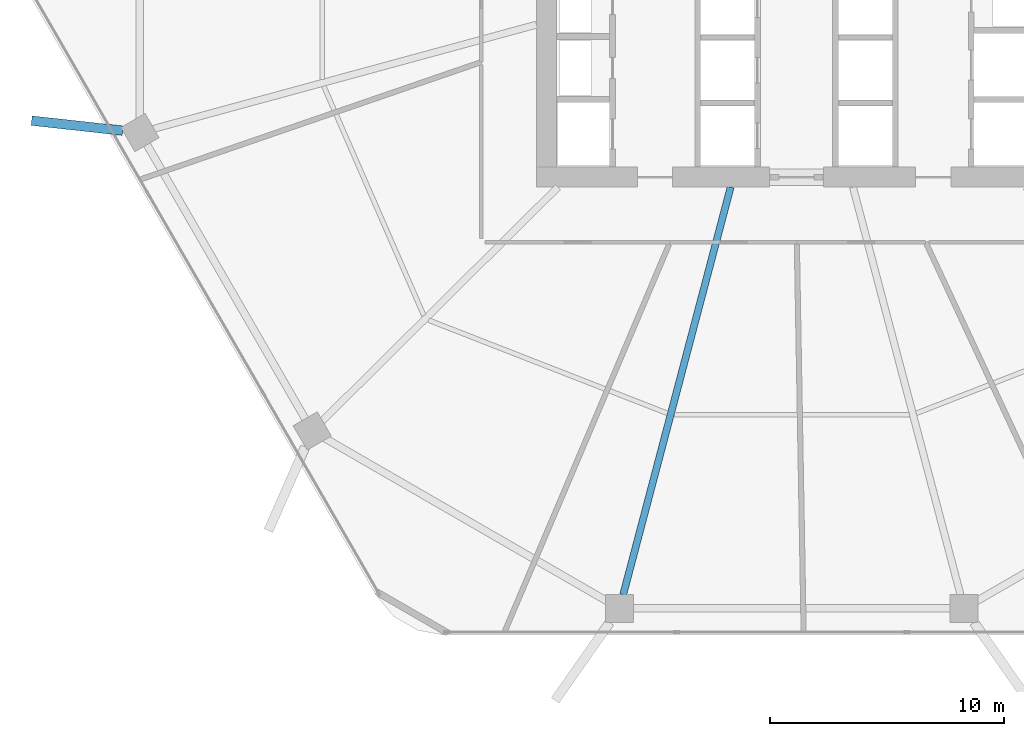
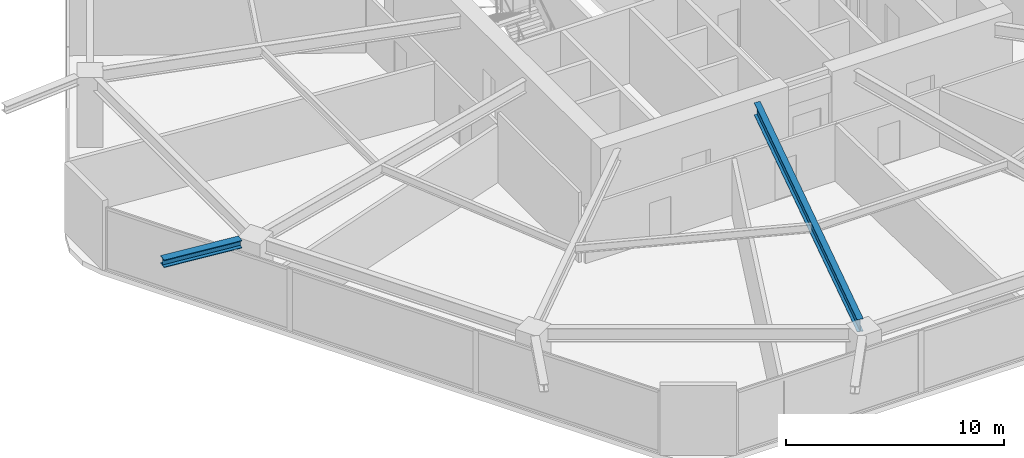
# One storey, part 4 of 25: 2 beams.
"""IFC4 building model written with IfcOpenShell, lengths in metres."""

from ifc_helpers import new_model, si_unit, direction, frame, origin, origin_2d, place, context, subcontext, project, spatial, i_section, extrude, material, material_profile, profile_set, type_object, element, save


model = new_model("IFC4")

# Units and contexts
model_context = context("Model", 3, precision=1e-05, world=origin(), true_north=direction((0.0, 1.0)))
body_context = subcontext(model_context, "Body", "Model", "MODEL_VIEW")
ifc_project = project(units=[si_unit("LENGTHUNIT", "METRE"), si_unit("AREAUNIT", "SQUARE_METRE"), si_unit("VOLUMEUNIT", "CUBIC_METRE"), si_unit("PLANEANGLEUNIT", "RADIAN"), si_unit("MASSUNIT", "GRAM", prefix="KILO")], contexts=[model_context])

# Site, building, storey
site_placement = place(None, origin())
site = spatial("IfcSite", under=ifc_project, at=site_placement, CompositionType="ELEMENT")
building_placement = place(site_placement, origin())
building = spatial("IfcBuilding", under=site, at=building_placement, Name="Zuhravey Tower", CompositionType="ELEMENT")
storey_placement = place(building_placement, frame((0.0, 0.0, 54.0)))
storey = spatial("IfcBuildingStorey", under=building, at=storey_placement, Name="L13", CompositionType="ELEMENT", Elevation=54.0)

# Beams
ifc_material_1 = material(Name="Steel SM460", Category="steel")
ifc_material_profile_1 = material_profile(ifc_material_1, i_section(OverallWidth=0.406982421875, OverallDepth=0.427978515625, WebThickness=0.02001953125, FlangeThickness=0.034912109375, at=origin_2d()), Name="H-428x407x20x35")
ifc_profile_set_1 = profile_set([ifc_material_profile_1], Name="Steel SM460")
beam_type_1 = type_object("IfcBeamType", Name="Exoskeleton Node Tie Beam H428x407", PredefinedType="BEAM", material=ifc_profile_set_1)
beam_1_placement = place(storey_placement, frame((7.3671875, 24.490234375, 3.7060546875), z_axis=(-0.994007881498, 0.109308423825, 0.0), x_axis=(-0.109308423825, -0.994007881498, 0.0)))
element("IfcBeam", 1, at=beam_1_placement, inside=storey, type_object=beam_type_1, Name="L13 Exoskeleton Node Tie NT1-07", PredefinedType="BEAM", context=body_context, shape_type="SweptSolid", body=[
    extrude(i_section(OverallWidth=0.406982421875, OverallDepth=0.427978515625, WebThickness=0.02001953125, FlangeThickness=0.034912109375, at=origin_2d()), origin(), (0.0, 0.0, 1.0), 3.9130859375),
])
ifc_material_2 = material(Name="Steel SM355", Category="steel")
ifc_material_profile_2 = material_profile(ifc_material_2, i_section(OverallWidth=0.300048828125, OverallDepth=0.699951171875, WebThickness=0.012939453125, FlangeThickness=0.02392578125, at=origin_2d()), Name="H-700x300x13x24")
ifc_profile_set_2 = profile_set([ifc_material_profile_2], Name="Steel SM355")
beam_type_2 = type_object("IfcBeamType", Name="Radial Primary Girder H700x300", PredefinedType="BEAM", material=ifc_profile_set_2)
beam_2_placement = place(storey_placement, frame((33.382080078125, 22.072021484375, 3.570068359375), z_axis=(-0.254989720435, -0.966943763862, 0.0), x_axis=(0.966943763862, -0.254989720435, 0.0)))
element("IfcBeam", 2, at=beam_2_placement, inside=storey, type_object=beam_type_2, Name="L13 RG1 BM-L13-RAD-09", PredefinedType="BEAM", context=body_context, shape_type="SweptSolid", body=[
    extrude(i_section(OverallWidth=0.300048828125, OverallDepth=0.699951171875, WebThickness=0.012939453125, FlangeThickness=0.02392578125, at=origin_2d()), origin(), (0.0, 0.0, 1.0), 18.03369140625),
])

save(model, "model.ifc")
